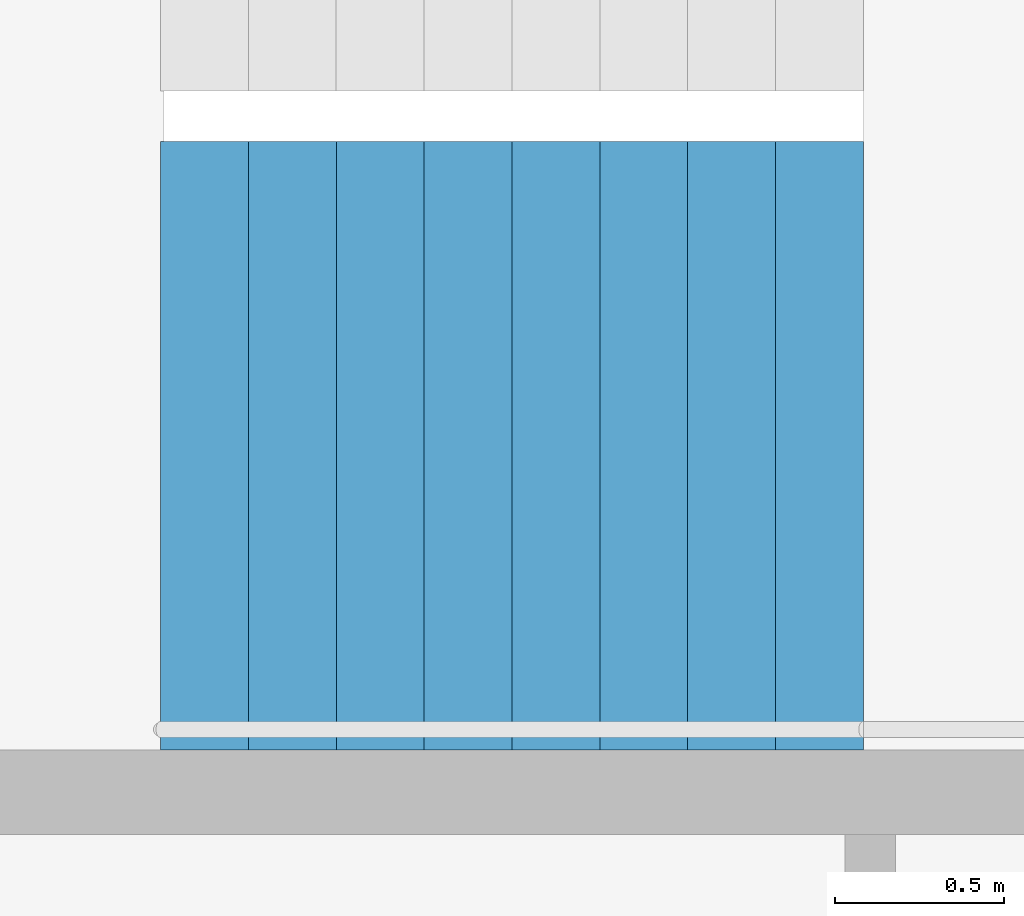
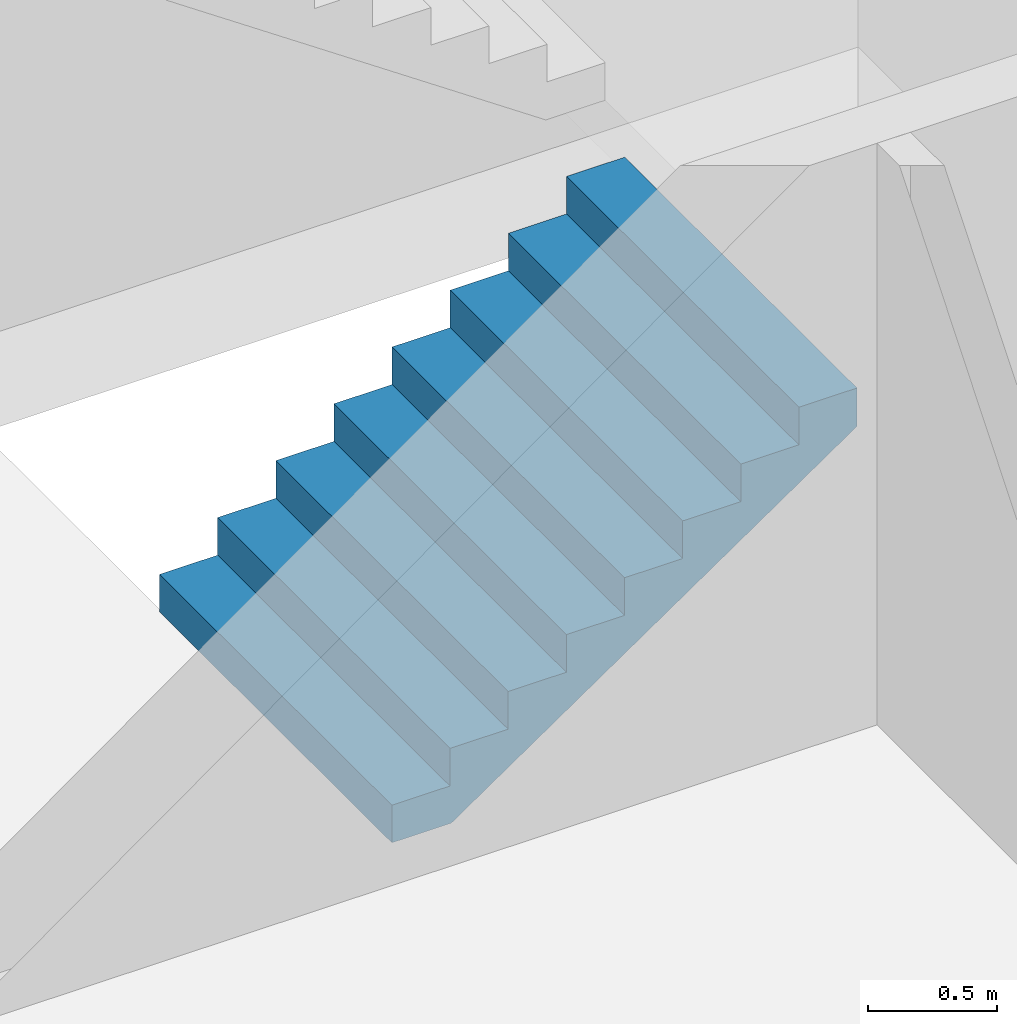
# One storey, part 20 of 26: 1 stair flight, 1 element without a shape of its own.
"""IFC4 building model written with IfcOpenShell, lengths in metres."""

from ifc_helpers import new_model, si_unit, direction, frame, origin, place, context, subcontext, project, spatial, triangles, material, type_object, element, aggregate, save


model = new_model("IFC4")

# Units and contexts
model_context = context("Model", 3, precision=1e-05, world=origin(), true_north=direction((0.0, 1.0)))
body_context = subcontext(model_context, "Body", "Model", "MODEL_VIEW")
ifc_project = project(units=[si_unit("LENGTHUNIT", "METRE"), si_unit("AREAUNIT", "SQUARE_METRE"), si_unit("VOLUMEUNIT", "CUBIC_METRE"), si_unit("PLANEANGLEUNIT", "RADIAN"), si_unit("MASSUNIT", "GRAM", prefix="KILO")], contexts=[model_context])

# Site, building, storey
site_placement = place(None, origin())
site = spatial("IfcSite", under=ifc_project, at=site_placement, CompositionType="ELEMENT")
building_placement = place(site_placement, origin())
building = spatial("IfcBuilding", under=site, at=building_placement, Name="Hakoniwa Tower and Hamabe Station Hall", CompositionType="ELEMENT")
storey_placement = place(building_placement, frame((0.0, 0.0, 159.800048828125)))
storey = spatial("IfcBuildingStorey", under=building, at=storey_placement, Name="L45", CompositionType="ELEMENT", Elevation=159.800048828125)

# Stair, stair flight
ifc_material_1 = material(Name="Concrete C40", Category="concrete")
stair_type = type_object("IfcStairType", Name="ESCAPE STAIR 1800", PredefinedType="HALF_TURN_STAIR", material=ifc_material_1)
stair_placement = place(storey_placement, origin())
stair = element("IfcStair", 1, at=stair_placement, inside=storey, type_object=stair_type, Name="Escape stair ST-1 L45", PredefinedType="HALF_TURN_STAIR")
ifc_material_2 = material(Name="Concrete C40", Category="concrete")
stair_flight_type = type_object("IfcStairFlightType", Name="STAIR FLIGHT 1800", PredefinedType="STRAIGHT", material=ifc_material_2)
stair_flight_placement = place(storey_placement, frame((-24.39990234375, 4.64990234375, 0.0), z_axis=(0.0, 0.0, 1.0), x_axis=(1.0, 0.0, 0.0)))
stair_flight = element("IfcStairFlight", 2, at=stair_flight_placement, type_object=stair_flight_type, Name="ST-1 flight 1", NumberOfRisers=9, NumberOfTreads=8, PredefinedType="STRAIGHT", RiserHeight=0.177777778, TreadLength=0.26, context=body_context, shape_type="Tessellation", body=[
    triangles([(0.0, 0.89990234375, 0.0), (0.260009765625, 0.89990234375, 0.0), (0.265625, 0.89990234375, 0.0), (0.52001953125, 0.89990234375, 0.174072265625), (0.780029296875, 0.89990234375, 0.351806640625), (1.0400390625, 0.89990234375, 0.529541015625), (1.300048828125, 0.89990234375, 0.707275390625), (1.56005859375, 0.89990234375, 0.885009765625), (1.820068359375, 0.89990234375, 1.062744140625), (2.080078125, 0.89990234375, 1.24072265625), (2.080078125, 0.89990234375, 1.422119140625), (1.820068359375, 0.89990234375, 1.422119140625), (1.820068359375, 0.89990234375, 1.244384765625), (1.56005859375, 0.89990234375, 1.244384765625), (1.56005859375, 0.89990234375, 1.066650390625), (1.300048828125, 0.89990234375, 1.066650390625), (1.300048828125, 0.89990234375, 0.888916015625), (1.0400390625, 0.89990234375, 0.888916015625), (1.0400390625, 0.89990234375, 0.711181640625), (0.780029296875, 0.89990234375, 0.711181640625), (0.780029296875, 0.89990234375, 0.533447265625), (0.52001953125, 0.89990234375, 0.533447265625), (0.52001953125, 0.89990234375, 0.35546875), (0.265625, 0.89990234375, 0.35546875), (0.260009765625, 0.89990234375, 0.35546875), (0.260009765625, 0.89990234375, 0.177734375), (0.0, 0.89990234375, 0.177734375), (0.0, 0.06005859375, 0.0), (0.260009765625, 0.06005859375, 0.0), (0.265625, 0.06005859375, 0.0), (0.52001953125, 0.06005859375, 0.174072265625), (0.780029296875, 0.06005859375, 0.351806640625), (1.0400390625, 0.06005859375, 0.529541015625), (1.300048828125, 0.06005859375, 0.707275390625), (1.56005859375, 0.06005859375, 0.885009765625), (1.820068359375, 0.06005859375, 1.062744140625), (2.080078125, 0.06005859375, 1.24072265625), (2.080078125, 0.06005859375, 1.422119140625), (1.820068359375, 0.06005859375, 1.422119140625), (1.820068359375, 0.06005859375, 1.244384765625), (1.56005859375, 0.06005859375, 1.244384765625), (1.56005859375, 0.06005859375, 1.066650390625), (1.300048828125, 0.06005859375, 1.066650390625), (1.300048828125, 0.06005859375, 0.888916015625), (1.0400390625, 0.06005859375, 0.888916015625), (1.0400390625, 0.06005859375, 0.711181640625), (0.780029296875, 0.06005859375, 0.711181640625), (0.780029296875, 0.06005859375, 0.533447265625), (0.52001953125, 0.06005859375, 0.533447265625), (0.52001953125, 0.06005859375, 0.35546875), (0.265625, 0.06005859375, 0.35546875), (0.260009765625, 0.06005859375, 0.35546875), (0.260009765625, 0.06005859375, 0.177734375), (0.0, 0.06005859375, 0.177734375), (0.0, 0.04296875, 0.0), (0.260009765625, 0.04296875, 0.0), (0.265625, 0.04296875, 0.0), (0.52001953125, 0.04296875, 0.174072265625), (0.780029296875, 0.04296875, 0.351806640625), (1.0400390625, 0.04296875, 0.529541015625), (1.300048828125, 0.04296875, 0.707275390625), (1.56005859375, 0.04296875, 0.885009765625), (1.820068359375, 0.04296875, 1.062744140625), (2.080078125, 0.04296875, 1.24072265625), (2.080078125, 0.04296875, 1.422119140625), (1.820068359375, 0.04296875, 1.422119140625), (1.820068359375, 0.04296875, 1.244384765625), (1.56005859375, 0.04296875, 1.244384765625), (1.56005859375, 0.04296875, 1.066650390625), (1.300048828125, 0.04296875, 1.066650390625), (1.300048828125, 0.04296875, 0.888916015625), (1.0400390625, 0.04296875, 0.888916015625), (1.0400390625, 0.04296875, 0.711181640625), (0.780029296875, 0.04296875, 0.711181640625), (0.780029296875, 0.04296875, 0.533447265625), (0.52001953125, 0.04296875, 0.533447265625), (0.52001953125, 0.04296875, 0.35546875), (0.265625, 0.04296875, 0.35546875), (0.260009765625, 0.04296875, 0.35546875), (0.260009765625, 0.04296875, 0.177734375), (0.0, 0.04296875, 0.177734375), (0.0, 0.025634765625, 0.0), (0.260009765625, 0.025634765625, 0.0), (0.265625, 0.025634765625, 0.0), (0.52001953125, 0.025634765625, 0.174072265625), (0.780029296875, 0.025634765625, 0.351806640625), (1.0400390625, 0.025634765625, 0.529541015625), (1.300048828125, 0.025634765625, 0.707275390625), (1.56005859375, 0.025634765625, 0.885009765625), (1.820068359375, 0.025634765625, 1.062744140625), (2.080078125, 0.025634765625, 1.24072265625), (2.080078125, 0.025634765625, 1.422119140625), (1.820068359375, 0.025634765625, 1.422119140625), (1.820068359375, 0.025634765625, 1.244384765625), (1.56005859375, 0.025634765625, 1.244384765625), (1.56005859375, 0.025634765625, 1.066650390625), (1.300048828125, 0.025634765625, 1.066650390625), (1.300048828125, 0.025634765625, 0.888916015625), (1.0400390625, 0.025634765625, 0.888916015625), (1.0400390625, 0.025634765625, 0.711181640625), (0.780029296875, 0.025634765625, 0.711181640625), (0.780029296875, 0.025634765625, 0.533447265625), (0.52001953125, 0.025634765625, 0.533447265625), (0.52001953125, 0.025634765625, 0.35546875), (0.265625, 0.025634765625, 0.35546875), (0.260009765625, 0.025634765625, 0.35546875), (0.260009765625, 0.025634765625, 0.177734375), (0.0, 0.025634765625, 0.177734375), (0.0, 0.008544921875, 0.0), (0.260009765625, 0.008544921875, 0.0), (0.265625, 0.008544921875, 0.0), (0.52001953125, 0.008544921875, 0.174072265625), (0.780029296875, 0.008544921875, 0.351806640625), (1.0400390625, 0.008544921875, 0.529541015625), (1.300048828125, 0.008544921875, 0.707275390625), (1.56005859375, 0.008544921875, 0.885009765625), (1.820068359375, 0.008544921875, 1.062744140625), (2.080078125, 0.008544921875, 1.24072265625), (2.080078125, 0.008544921875, 1.422119140625), (1.820068359375, 0.008544921875, 1.422119140625), (1.820068359375, 0.008544921875, 1.244384765625), (1.56005859375, 0.008544921875, 1.244384765625), (1.56005859375, 0.008544921875, 1.066650390625), (1.300048828125, 0.008544921875, 1.066650390625), (1.300048828125, 0.008544921875, 0.888916015625), (1.0400390625, 0.008544921875, 0.888916015625), (1.0400390625, 0.008544921875, 0.711181640625), (0.780029296875, 0.008544921875, 0.711181640625), (0.780029296875, 0.008544921875, 0.533447265625), (0.52001953125, 0.008544921875, 0.533447265625), (0.52001953125, 0.008544921875, 0.35546875), (0.265625, 0.008544921875, 0.35546875), (0.260009765625, 0.008544921875, 0.35546875), (0.260009765625, 0.008544921875, 0.177734375), (0.0, 0.008544921875, 0.177734375), (0.0, -0.008544921875, 0.0), (0.260009765625, -0.008544921875, 0.0), (0.265625, -0.008544921875, 0.0), (0.52001953125, -0.008544921875, 0.174072265625), (0.780029296875, -0.008544921875, 0.351806640625), (1.0400390625, -0.008544921875, 0.529541015625), (1.300048828125, -0.008544921875, 0.707275390625), (1.56005859375, -0.008544921875, 0.885009765625), (1.820068359375, -0.008544921875, 1.062744140625), (2.080078125, -0.008544921875, 1.24072265625), (2.080078125, -0.008544921875, 1.422119140625), (1.820068359375, -0.008544921875, 1.422119140625), (1.820068359375, -0.008544921875, 1.244384765625), (1.56005859375, -0.008544921875, 1.244384765625), (1.56005859375, -0.008544921875, 1.066650390625), (1.300048828125, -0.008544921875, 1.066650390625), (1.300048828125, -0.008544921875, 0.888916015625), (1.0400390625, -0.008544921875, 0.888916015625), (1.0400390625, -0.008544921875, 0.711181640625), (0.780029296875, -0.008544921875, 0.711181640625), (0.780029296875, -0.008544921875, 0.533447265625), (0.52001953125, -0.008544921875, 0.533447265625), (0.52001953125, -0.008544921875, 0.35546875), (0.265625, -0.008544921875, 0.35546875), (0.260009765625, -0.008544921875, 0.35546875), (0.260009765625, -0.008544921875, 0.177734375), (0.0, -0.008544921875, 0.177734375), (0.0, -0.025634765625, 0.0), (0.260009765625, -0.025634765625, 0.0), (0.265625, -0.025634765625, 0.0), (0.52001953125, -0.025634765625, 0.174072265625), (0.780029296875, -0.025634765625, 0.351806640625), (1.0400390625, -0.025634765625, 0.529541015625), (1.300048828125, -0.025634765625, 0.707275390625), (1.56005859375, -0.025634765625, 0.885009765625), (1.820068359375, -0.025634765625, 1.062744140625), (2.080078125, -0.025634765625, 1.24072265625), (2.080078125, -0.025634765625, 1.422119140625), (1.820068359375, -0.025634765625, 1.422119140625), (1.820068359375, -0.025634765625, 1.244384765625), (1.56005859375, -0.025634765625, 1.244384765625), (1.56005859375, -0.025634765625, 1.066650390625), (1.300048828125, -0.025634765625, 1.066650390625), (1.300048828125, -0.025634765625, 0.888916015625), (1.0400390625, -0.025634765625, 0.888916015625), (1.0400390625, -0.025634765625, 0.711181640625), (0.780029296875, -0.025634765625, 0.711181640625), (0.780029296875, -0.025634765625, 0.533447265625), (0.52001953125, -0.025634765625, 0.533447265625), (0.52001953125, -0.025634765625, 0.35546875), (0.265625, -0.025634765625, 0.35546875), (0.260009765625, -0.025634765625, 0.35546875), (0.260009765625, -0.025634765625, 0.177734375), (0.0, -0.025634765625, 0.177734375), (0.0, -0.04296875, 0.0), (0.260009765625, -0.04296875, 0.0), (0.265625, -0.04296875, 0.0), (0.52001953125, -0.04296875, 0.174072265625), (0.780029296875, -0.04296875, 0.351806640625), (1.0400390625, -0.04296875, 0.529541015625), (1.300048828125, -0.04296875, 0.707275390625), (1.56005859375, -0.04296875, 0.885009765625), (1.820068359375, -0.04296875, 1.062744140625), (2.080078125, -0.04296875, 1.24072265625), (2.080078125, -0.04296875, 1.422119140625), (1.820068359375, -0.04296875, 1.422119140625), (1.820068359375, -0.04296875, 1.244384765625), (1.56005859375, -0.04296875, 1.244384765625), (1.56005859375, -0.04296875, 1.066650390625), (1.300048828125, -0.04296875, 1.066650390625), (1.300048828125, -0.04296875, 0.888916015625), (1.0400390625, -0.04296875, 0.888916015625), (1.0400390625, -0.04296875, 0.711181640625), (0.780029296875, -0.04296875, 0.711181640625), (0.780029296875, -0.04296875, 0.533447265625), (0.52001953125, -0.04296875, 0.533447265625), (0.52001953125, -0.04296875, 0.35546875), (0.265625, -0.04296875, 0.35546875), (0.260009765625, -0.04296875, 0.35546875), (0.260009765625, -0.04296875, 0.177734375), (0.0, -0.04296875, 0.177734375), (0.0, -0.06005859375, 0.0), (0.260009765625, -0.06005859375, 0.0), (0.265625, -0.06005859375, 0.0), (0.52001953125, -0.06005859375, 0.174072265625), (0.780029296875, -0.06005859375, 0.351806640625), (1.0400390625, -0.06005859375, 0.529541015625), (1.300048828125, -0.06005859375, 0.707275390625), (1.56005859375, -0.06005859375, 0.885009765625), (1.820068359375, -0.06005859375, 1.062744140625), (2.080078125, -0.06005859375, 1.24072265625), (2.080078125, -0.06005859375, 1.422119140625), (1.820068359375, -0.06005859375, 1.422119140625), (1.820068359375, -0.06005859375, 1.244384765625), (1.56005859375, -0.06005859375, 1.244384765625), (1.56005859375, -0.06005859375, 1.066650390625), (1.300048828125, -0.06005859375, 1.066650390625), (1.300048828125, -0.06005859375, 0.888916015625), (1.0400390625, -0.06005859375, 0.888916015625), (1.0400390625, -0.06005859375, 0.711181640625), (0.780029296875, -0.06005859375, 0.711181640625), (0.780029296875, -0.06005859375, 0.533447265625), (0.52001953125, -0.06005859375, 0.533447265625), (0.52001953125, -0.06005859375, 0.35546875), (0.265625, -0.06005859375, 0.35546875), (0.260009765625, -0.06005859375, 0.35546875), (0.260009765625, -0.06005859375, 0.177734375), (0.0, -0.06005859375, 0.177734375), (0.0, -0.89990234375, 0.0), (0.260009765625, -0.89990234375, 0.0), (0.265625, -0.89990234375, 0.0), (0.52001953125, -0.89990234375, 0.174072265625), (0.780029296875, -0.89990234375, 0.351806640625), (1.0400390625, -0.89990234375, 0.529541015625), (1.300048828125, -0.89990234375, 0.707275390625), (1.56005859375, -0.89990234375, 0.885009765625), (1.820068359375, -0.89990234375, 1.062744140625), (2.080078125, -0.89990234375, 1.24072265625), (2.080078125, -0.89990234375, 1.422119140625), (1.820068359375, -0.89990234375, 1.422119140625), (1.820068359375, -0.89990234375, 1.244384765625), (1.56005859375, -0.89990234375, 1.244384765625), (1.56005859375, -0.89990234375, 1.066650390625), (1.300048828125, -0.89990234375, 1.066650390625), (1.300048828125, -0.89990234375, 0.888916015625), (1.0400390625, -0.89990234375, 0.888916015625), (1.0400390625, -0.89990234375, 0.711181640625), (0.780029296875, -0.89990234375, 0.711181640625), (0.780029296875, -0.89990234375, 0.533447265625), (0.52001953125, -0.89990234375, 0.533447265625), (0.52001953125, -0.89990234375, 0.35546875), (0.265625, -0.89990234375, 0.35546875), (0.260009765625, -0.89990234375, 0.35546875), (0.260009765625, -0.89990234375, 0.177734375), (0.0, -0.89990234375, 0.177734375)], [[2, 27, 26], [245, 269, 270], [2, 1, 27], [245, 270, 244], [3, 25, 24], [246, 267, 268], [3, 26, 25], [246, 268, 269], [3, 2, 26], [246, 269, 245], [4, 24, 23], [247, 266, 267], [4, 3, 24], [247, 267, 246], [5, 22, 21], [248, 264, 265], [5, 23, 22], [248, 265, 266], [5, 4, 23], [248, 266, 247], [6, 20, 19], [249, 262, 263], [6, 21, 20], [249, 263, 264], [6, 5, 21], [249, 264, 248], [7, 18, 17], [250, 260, 261], [7, 19, 18], [250, 261, 262], [7, 6, 19], [250, 262, 249], [8, 16, 15], [251, 258, 259], [8, 17, 16], [251, 259, 260], [8, 7, 17], [251, 260, 250], [9, 14, 13], [252, 256, 257], [9, 15, 14], [252, 257, 258], [9, 8, 15], [252, 258, 251], [10, 12, 11], [253, 254, 255], [10, 13, 12], [253, 255, 256], [10, 9, 13], [253, 256, 252], [1, 2, 29], [1, 29, 28], [28, 29, 56], [28, 56, 55], [55, 56, 83], [55, 83, 82], [82, 83, 110], [82, 110, 109], [109, 110, 137], [109, 137, 136], [136, 137, 164], [136, 164, 163], [163, 164, 191], [163, 191, 190], [190, 191, 218], [190, 218, 217], [217, 218, 245], [217, 245, 244], [2, 3, 30], [2, 30, 29], [29, 30, 57], [29, 57, 56], [56, 57, 84], [56, 84, 83], [83, 84, 111], [83, 111, 110], [110, 111, 138], [110, 138, 137], [137, 138, 165], [137, 165, 164], [164, 165, 192], [164, 192, 191], [191, 192, 219], [191, 219, 218], [218, 219, 246], [218, 246, 245], [3, 4, 31], [3, 31, 30], [30, 31, 58], [30, 58, 57], [57, 58, 85], [57, 85, 84], [84, 85, 112], [84, 112, 111], [111, 112, 139], [111, 139, 138], [138, 139, 166], [138, 166, 165], [165, 166, 193], [165, 193, 192], [192, 193, 220], [192, 220, 219], [219, 220, 247], [219, 247, 246], [4, 5, 32], [4, 32, 31], [31, 32, 59], [31, 59, 58], [58, 59, 86], [58, 86, 85], [85, 86, 113], [85, 113, 112], [112, 113, 140], [112, 140, 139], [139, 140, 167], [139, 167, 166], [166, 167, 194], [166, 194, 193], [193, 194, 221], [193, 221, 220], [220, 221, 248], [220, 248, 247], [5, 6, 33], [5, 33, 32], [32, 33, 60], [32, 60, 59], [59, 60, 87], [59, 87, 86], [86, 87, 114], [86, 114, 113], [113, 114, 141], [113, 141, 140], [140, 141, 168], [140, 168, 167], [167, 168, 195], [167, 195, 194], [194, 195, 222], [194, 222, 221], [221, 222, 249], [221, 249, 248], [6, 7, 34], [6, 34, 33], [33, 34, 61], [33, 61, 60], [60, 61, 88], [60, 88, 87], [87, 88, 115], [87, 115, 114], [114, 115, 142], [114, 142, 141], [141, 142, 169], [141, 169, 168], [168, 169, 196], [168, 196, 195], [195, 196, 223], [195, 223, 222], [222, 223, 250], [222, 250, 249], [7, 8, 35], [7, 35, 34], [34, 35, 62], [34, 62, 61], [61, 62, 89], [61, 89, 88], [88, 89, 116], [88, 116, 115], [115, 116, 143], [115, 143, 142], [142, 143, 170], [142, 170, 169], [169, 170, 197], [169, 197, 196], [196, 197, 224], [196, 224, 223], [223, 224, 251], [223, 251, 250], [8, 9, 36], [8, 36, 35], [35, 36, 63], [35, 63, 62], [62, 63, 90], [62, 90, 89], [89, 90, 117], [89, 117, 116], [116, 117, 144], [116, 144, 143], [143, 144, 171], [143, 171, 170], [170, 171, 198], [170, 198, 197], [197, 198, 225], [197, 225, 224], [224, 225, 252], [224, 252, 251], [9, 10, 37], [9, 37, 36], [36, 37, 64], [36, 64, 63], [63, 64, 91], [63, 91, 90], [90, 91, 118], [90, 118, 117], [117, 118, 145], [117, 145, 144], [144, 145, 172], [144, 172, 171], [171, 172, 199], [171, 199, 198], [198, 199, 226], [198, 226, 225], [225, 226, 253], [225, 253, 252], [10, 11, 38], [10, 38, 37], [37, 38, 65], [37, 65, 64], [64, 65, 92], [64, 92, 91], [91, 92, 119], [91, 119, 118], [118, 119, 146], [118, 146, 145], [145, 146, 173], [145, 173, 172], [172, 173, 200], [172, 200, 199], [199, 200, 227], [199, 227, 226], [226, 227, 254], [226, 254, 253], [11, 12, 39], [11, 39, 38], [38, 39, 66], [38, 66, 65], [65, 66, 93], [65, 93, 92], [92, 93, 120], [92, 120, 119], [119, 120, 147], [119, 147, 146], [146, 147, 174], [146, 174, 173], [173, 174, 201], [173, 201, 200], [200, 201, 228], [200, 228, 227], [227, 228, 255], [227, 255, 254], [12, 13, 40], [12, 40, 39], [39, 40, 67], [39, 67, 66], [66, 67, 94], [66, 94, 93], [93, 94, 121], [93, 121, 120], [120, 121, 148], [120, 148, 147], [147, 148, 175], [147, 175, 174], [174, 175, 202], [174, 202, 201], [201, 202, 229], [201, 229, 228], [228, 229, 256], [228, 256, 255], [13, 14, 41], [13, 41, 40], [40, 41, 68], [40, 68, 67], [67, 68, 95], [67, 95, 94], [94, 95, 122], [94, 122, 121], [121, 122, 149], [121, 149, 148], [148, 149, 176], [148, 176, 175], [175, 176, 203], [175, 203, 202], [202, 203, 230], [202, 230, 229], [229, 230, 257], [229, 257, 256], [14, 15, 42], [14, 42, 41], [41, 42, 69], [41, 69, 68], [68, 69, 96], [68, 96, 95], [95, 96, 123], [95, 123, 122], [122, 123, 150], [122, 150, 149], [149, 150, 177], [149, 177, 176], [176, 177, 204], [176, 204, 203], [203, 204, 231], [203, 231, 230], [230, 231, 258], [230, 258, 257], [15, 16, 43], [15, 43, 42], [42, 43, 70], [42, 70, 69], [69, 70, 97], [69, 97, 96], [96, 97, 124], [96, 124, 123], [123, 124, 151], [123, 151, 150], [150, 151, 178], [150, 178, 177], [177, 178, 205], [177, 205, 204], [204, 205, 232], [204, 232, 231], [231, 232, 259], [231, 259, 258], [16, 17, 44], [16, 44, 43], [43, 44, 71], [43, 71, 70], [70, 71, 98], [70, 98, 97], [97, 98, 125], [97, 125, 124], [124, 125, 152], [124, 152, 151], [151, 152, 179], [151, 179, 178], [178, 179, 206], [178, 206, 205], [205, 206, 233], [205, 233, 232], [232, 233, 260], [232, 260, 259], [17, 18, 45], [17, 45, 44], [44, 45, 72], [44, 72, 71], [71, 72, 99], [71, 99, 98], [98, 99, 126], [98, 126, 125], [125, 126, 153], [125, 153, 152], [152, 153, 180], [152, 180, 179], [179, 180, 207], [179, 207, 206], [206, 207, 234], [206, 234, 233], [233, 234, 261], [233, 261, 260], [18, 19, 46], [18, 46, 45], [45, 46, 73], [45, 73, 72], [72, 73, 100], [72, 100, 99], [99, 100, 127], [99, 127, 126], [126, 127, 154], [126, 154, 153], [153, 154, 181], [153, 181, 180], [180, 181, 208], [180, 208, 207], [207, 208, 235], [207, 235, 234], [234, 235, 262], [234, 262, 261], [19, 20, 47], [19, 47, 46], [46, 47, 74], [46, 74, 73], [73, 74, 101], [73, 101, 100], [100, 101, 128], [100, 128, 127], [127, 128, 155], [127, 155, 154], [154, 155, 182], [154, 182, 181], [181, 182, 209], [181, 209, 208], [208, 209, 236], [208, 236, 235], [235, 236, 263], [235, 263, 262], [20, 21, 48], [20, 48, 47], [47, 48, 75], [47, 75, 74], [74, 75, 102], [74, 102, 101], [101, 102, 129], [101, 129, 128], [128, 129, 156], [128, 156, 155], [155, 156, 183], [155, 183, 182], [182, 183, 210], [182, 210, 209], [209, 210, 237], [209, 237, 236], [236, 237, 264], [236, 264, 263], [21, 22, 49], [21, 49, 48], [48, 49, 76], [48, 76, 75], [75, 76, 103], [75, 103, 102], [102, 103, 130], [102, 130, 129], [129, 130, 157], [129, 157, 156], [156, 157, 184], [156, 184, 183], [183, 184, 211], [183, 211, 210], [210, 211, 238], [210, 238, 237], [237, 238, 265], [237, 265, 264], [22, 23, 50], [22, 50, 49], [49, 50, 77], [49, 77, 76], [76, 77, 104], [76, 104, 103], [103, 104, 131], [103, 131, 130], [130, 131, 158], [130, 158, 157], [157, 158, 185], [157, 185, 184], [184, 185, 212], [184, 212, 211], [211, 212, 239], [211, 239, 238], [238, 239, 266], [238, 266, 265], [23, 24, 51], [23, 51, 50], [50, 51, 78], [50, 78, 77], [77, 78, 105], [77, 105, 104], [104, 105, 132], [104, 132, 131], [131, 132, 159], [131, 159, 158], [158, 159, 186], [158, 186, 185], [185, 186, 213], [185, 213, 212], [212, 213, 240], [212, 240, 239], [239, 240, 267], [239, 267, 266], [24, 25, 52], [24, 52, 51], [51, 52, 79], [51, 79, 78], [78, 79, 106], [78, 106, 105], [105, 106, 133], [105, 133, 132], [132, 133, 160], [132, 160, 159], [159, 160, 187], [159, 187, 186], [186, 187, 214], [186, 214, 213], [213, 214, 241], [213, 241, 240], [240, 241, 268], [240, 268, 267], [25, 26, 53], [25, 53, 52], [52, 53, 80], [52, 80, 79], [79, 80, 107], [79, 107, 106], [106, 107, 134], [106, 134, 133], [133, 134, 161], [133, 161, 160], [160, 161, 188], [160, 188, 187], [187, 188, 215], [187, 215, 214], [214, 215, 242], [214, 242, 241], [241, 242, 269], [241, 269, 268], [26, 27, 54], [26, 54, 53], [53, 54, 81], [53, 81, 80], [80, 81, 108], [80, 108, 107], [107, 108, 135], [107, 135, 134], [134, 135, 162], [134, 162, 161], [161, 162, 189], [161, 189, 188], [188, 189, 216], [188, 216, 215], [215, 216, 243], [215, 243, 242], [242, 243, 270], [242, 270, 269], [27, 1, 28], [27, 28, 54], [54, 28, 55], [54, 55, 81], [81, 55, 82], [81, 82, 108], [108, 82, 109], [108, 109, 135], [135, 109, 136], [135, 136, 162], [162, 136, 163], [162, 163, 189], [189, 163, 190], [189, 190, 216], [216, 190, 217], [216, 217, 243], [243, 217, 244], [243, 244, 270]], closed=True),
])
aggregate(stair, [stair_flight])

save(model, "model.ifc")
